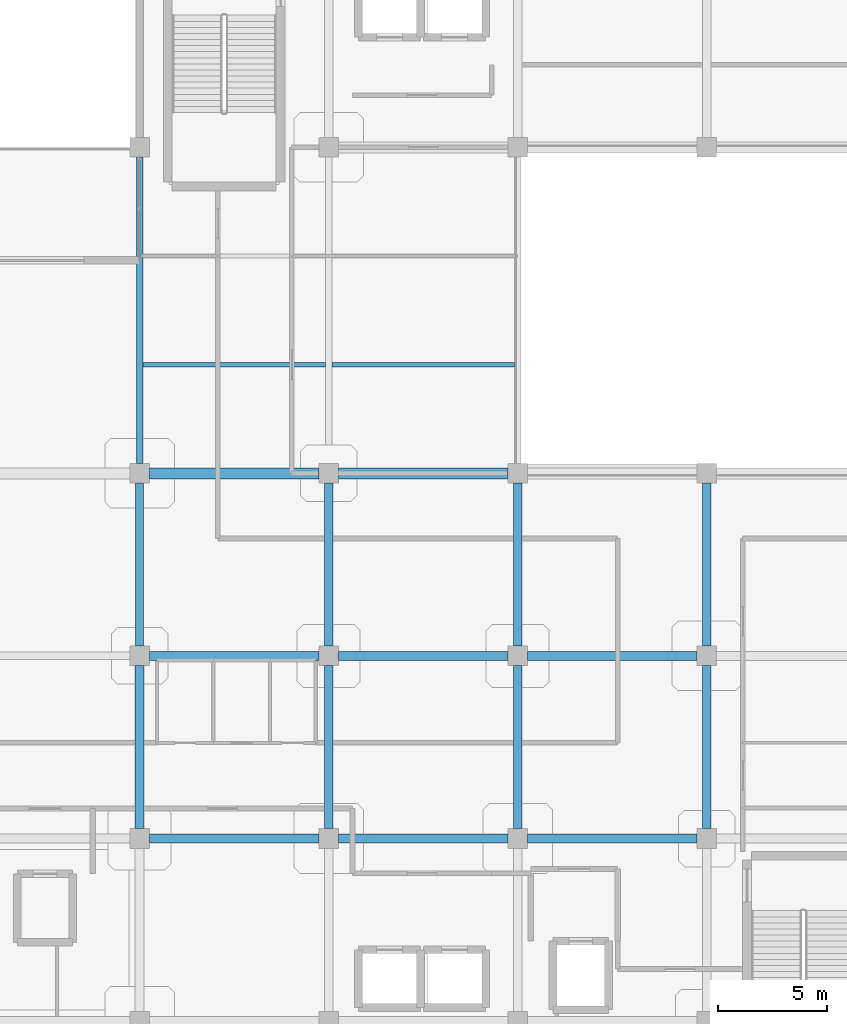
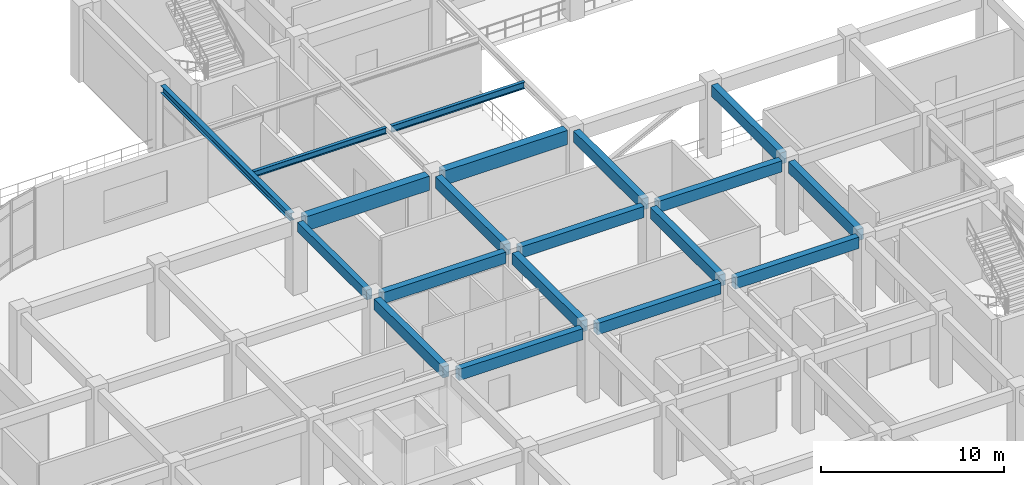
# One storey, part 22 of 120: 19 beams.
"""IFC4 building model written with IfcOpenShell, lengths in metres."""

from ifc_helpers import new_model, si_unit, derived_unit, direction, frame, origin, origin_2d, place, context, subcontext, project, spatial, rectangle, i_section, extrude, material, material_profile, profile_set, type_object, element, save


model = new_model("IFC4")

# Units and contexts
model_context = context("Model", 3, precision=1e-05, world=origin(), true_north=direction((0.0, 1.0)))
body_context = subcontext(model_context, "Body", "Model", "MODEL_VIEW")
ifc_project = project(units=[si_unit("LENGTHUNIT", "METRE"), si_unit("AREAUNIT", "SQUARE_METRE"), si_unit("VOLUMEUNIT", "CUBIC_METRE"), si_unit("PLANEANGLEUNIT", "RADIAN"), si_unit("MASSUNIT", "GRAM", prefix="KILO"), derived_unit("THERMALTRANSMITTANCEUNIT", [(si_unit("MASSUNIT", "GRAM", prefix="KILO"), 1), (si_unit("TIMEUNIT", "SECOND"), -3), (si_unit("THERMODYNAMICTEMPERATUREUNIT", "KELVIN"), -1)])], contexts=[model_context])

# Site, building, storey
site_placement = place(None, origin())
site = spatial("IfcSite", under=ifc_project, at=site_placement, CompositionType="ELEMENT")
building_placement = place(site_placement, origin())
building = spatial("IfcBuilding", under=site, at=building_placement, Name="Qinzheling Arcade Emporium", CompositionType="ELEMENT")
storey_placement = place(building_placement, frame((0.0, 0.0, 11.39990234375)))
storey = spatial("IfcBuildingStorey", under=building, at=storey_placement, Name="L03", CompositionType="ELEMENT", Elevation=11.39990234375)

# Beams
ifc_material_1 = material(Name="Structural steel Q355B", Category="steel")
ifc_material_profile_1 = material_profile(ifc_material_1, i_section(OverallWidth=0.300048828125, OverallDepth=0.488037109375, WebThickness=0.010986328125, FlangeThickness=0.01806640625, FilletRadius=0.02197265625, at=origin_2d()), Name="HM 488x300x11x18", Category="steel")
ifc_profile_set_1 = profile_set([ifc_material_profile_1], Name="Structural steel Q355B")
beam_type_1 = type_object("IfcBeamType", Name="Atrium Bridge Girder HM488 Q355B", PredefinedType="USERDEFINED", material=ifc_profile_set_1)
beam_1_placement = place(storey_placement, frame((34.800048828125, 50.85009765625, 4.576171875), z_axis=(0.0, 1.0, 0.0), x_axis=(-1.0, 0.0, 0.0)))
element("IfcBeam", 1, at=beam_1_placement, inside=storey, type_object=beam_type_1, Name="Beam BM-L03-Y-5-G", ObjectType="TRANSFER_GIRDER", PredefinedType="USERDEFINED", context=body_context, shape_type="SweptSolid", body=[
    extrude(i_section(OverallWidth=0.300048828125, OverallDepth=0.488037109375, WebThickness=0.010986328125, FlangeThickness=0.01806640625, FilletRadius=0.02197265625, at=origin_2d()), origin(), (0.0, 0.0, 1.0), 14.099853515625),
])
ifc_material_2 = material(Name="Concrete C40", Category="concrete")
ifc_material_profile_2 = material_profile(ifc_material_2, rectangle(XDim=0.39990234375, YDim=0.75, at=origin_2d()), Name="RC 400x750", Category="concrete")
ifc_profile_set_2 = profile_set([ifc_material_profile_2], Name="Concrete C40")
beam_type_2 = type_object("IfcBeamType", Name="RC Interior Tie Beam 400x750 C40", PredefinedType="BEAM", material=ifc_profile_set_2)
for number, where, z_axis, x_axis, name in (
    (2, (35.25, 33.60009765625, 4.445068359375), (1.0, 0.0, 0.0), (0.0, 1.0, 0.0), "Beam BM-L03-X-E-5"),
    (3, (43.949951171875, 33.60009765625, 4.445068359375), (1.0, 0.0, 0.0), (0.0, 1.0, 0.0), "Beam BM-L03-X-E-6"),
    (4, (52.64990234375, 33.60009765625, 4.445068359375), (1.0, 0.0, 0.0), (0.0, 1.0, 0.0), "Beam BM-L03-X-E-7"),
    (5, (35.25, 42.0, 4.445068359375), (1.0, 0.0, 0.0), (0.0, 1.0, 0.0), "Beam BM-L03-X-F-5"),
    (6, (43.949951171875, 42.0, 4.445068359375), (1.0, 0.0, 0.0), (0.0, 1.0, 0.0), "Beam BM-L03-X-F-6"),
    (7, (52.64990234375, 42.0, 4.445068359375), (1.0, 0.0, 0.0), (0.0, 1.0, 0.0), "Beam BM-L03-X-F-7"),
):
    element("IfcBeam", number, at=place(storey_placement, frame(where, z_axis=z_axis, x_axis=x_axis)), inside=storey, type_object=beam_type_2, Name=name, PredefinedType="BEAM", context=body_context, shape_type="SweptSolid", body=[
        extrude(rectangle(XDim=0.39990234375, YDim=0.75, at=origin_2d()), origin(), (0.0, 0.0, 1.0), 7.800048828125),
    ])
for number, where, z_axis, x_axis, name in (
    (8, (34.800048828125, 34.050048828125, 4.445068359375), (0.0, 1.0, 0.0), (-1.0, 0.0, 0.0), "Beam BM-L03-Y-5-E"),
    (9, (43.5, 34.050048828125, 4.445068359375), (0.0, 1.0, 0.0), (-1.0, 0.0, 0.0), "Beam BM-L03-Y-6-E"),
    (10, (43.5, 42.449951171875, 4.445068359375), (0.0, 1.0, 0.0), (-1.0, 0.0, 0.0), "Beam BM-L03-Y-6-F"),
    (11, (52.199951171875, 34.050048828125, 4.445068359375), (0.0, 1.0, 0.0), (-1.0, 0.0, 0.0), "Beam BM-L03-Y-7-E"),
    (12, (52.199951171875, 42.449951171875, 4.445068359375), (0.0, 1.0, 0.0), (-1.0, 0.0, 0.0), "Beam BM-L03-Y-7-F"),
    (13, (60.89990234375, 34.050048828125, 4.445068359375), (0.0, 1.0, 0.0), (-1.0, 0.0, 0.0), "Beam BM-L03-Y-8-E"),
    (14, (60.89990234375, 42.449951171875, 4.445068359375), (0.0, 1.0, 0.0), (-1.0, 0.0, 0.0), "Beam BM-L03-Y-8-F"),
):
    element("IfcBeam", number, at=place(storey_placement, frame(where, z_axis=z_axis, x_axis=x_axis)), inside=storey, type_object=beam_type_2, Name=name, PredefinedType="BEAM", context=body_context, shape_type="SweptSolid", body=[
        extrude(rectangle(XDim=0.39990234375, YDim=0.75, at=origin_2d()), origin(), (0.0, 0.0, 1.0), 7.5),
    ])
ifc_material_profile_3 = material_profile(ifc_material_2, rectangle(XDim=0.35009765625, YDim=0.64990234375, at=origin_2d()), Name="RC 350x650", Category="concrete")
ifc_profile_set_3 = profile_set([ifc_material_profile_3], Name="Concrete C40")
beam_type_3 = type_object("IfcBeamType", Name="RC Spandrel Edge Beam 350x650 C40", PredefinedType="SPANDREL", material=ifc_profile_set_3)
beam_2_placement = place(storey_placement, frame((34.800048828125, 42.449951171875, 4.4951171875), z_axis=(0.0, 1.0, 0.0), x_axis=(-1.0, 0.0, 0.0)))
element("IfcBeam", 15, at=beam_2_placement, inside=storey, type_object=beam_type_3, Name="Beam BM-L03-Y-5-F", PredefinedType="SPANDREL", context=body_context, shape_type="SweptSolid", body=[
    extrude(rectangle(XDim=0.35009765625, YDim=0.64990234375, at=origin_2d()), origin(), (0.0, 0.0, 1.0), 7.5),
])
ifc_material_profile_4 = material_profile(ifc_material_2, rectangle(XDim=0.5, YDim=0.949951171875, at=origin_2d()), Name="RC 500x950", Category="concrete")
ifc_profile_set_4 = profile_set([ifc_material_profile_4], Name="Concrete C40")
beam_type_4 = type_object("IfcBeamType", Name="RC Vault Ring Beam 500x950 C40", PredefinedType="BEAM", material=ifc_profile_set_4)
for number, where, z_axis, x_axis, name in (
    (16, (35.25, 50.39990234375, 4.34521484375), (1.0, 0.0, 0.0), (0.0, 1.0, 0.0), "Beam BM-L03-X-G-5"),
    (17, (43.949951171875, 50.39990234375, 4.34521484375), (1.0, 0.0, 0.0), (0.0, 1.0, 0.0), "Beam BM-L03-X-G-6"),
):
    element("IfcBeam", number, at=place(storey_placement, frame(where, z_axis=z_axis, x_axis=x_axis)), inside=storey, type_object=beam_type_4, Name=name, PredefinedType="BEAM", context=body_context, shape_type="SweptSolid", body=[
        extrude(rectangle(XDim=0.5, YDim=0.949951171875, at=origin_2d()), origin(), (0.0, 0.0, 1.0), 7.800048828125),
    ])
ifc_material_profile_5 = material_profile(ifc_material_1, i_section(OverallWidth=0.199951171875, OverallDepth=0.449951171875, WebThickness=0.009033203125, FlangeThickness=0.013916015625, FilletRadius=0.01611328125, at=origin_2d()), Name="HN 450x200x9x14", Category="steel")
ifc_profile_set_5 = profile_set([ifc_material_profile_5], Name="Structural steel Q355B")
beam_type_5 = type_object("IfcBeamType", Name="Secondary Floor Joist HN450 Q355B", PredefinedType="JOIST", material=ifc_profile_set_5)
beam_3_placement = place(storey_placement, frame((43.655029296875, 55.39990234375, 4.59521484375), z_axis=(1.0, 0.0, 0.0), x_axis=(0.0, 1.0, 0.0)))
element("IfcBeam", 18, at=beam_3_placement, inside=storey, type_object=beam_type_5, Name="Secondary Joist JST-L03-6-1", PredefinedType="JOIST", context=body_context, shape_type="SweptSolid", body=[
    extrude(i_section(OverallWidth=0.199951171875, OverallDepth=0.449951171875, WebThickness=0.009033203125, FlangeThickness=0.013916015625, FilletRadius=0.01611328125, at=origin_2d()), origin(), (0.0, 0.0, 1.0), 8.389892578125),
])
ifc_material_profile_6 = material_profile(ifc_material_1, i_section(OverallWidth=0.199951171875, OverallDepth=0.39990234375, WebThickness=0.008056640625, FlangeThickness=0.012939453125, FilletRadius=0.01611328125, at=origin_2d()), Name="HN 400x200x8x13", Category="steel")
ifc_profile_set_6 = profile_set([ifc_material_profile_6], Name="Structural steel Q355B")
beam_type_6 = type_object("IfcBeamType", Name="Storm Eave Outlooker Joist HN400 Q355B", PredefinedType="JOIST", material=ifc_profile_set_6)
beam_4_placement = place(storey_placement, frame((34.955078125, 55.39990234375, 4.6201171875), z_axis=(1.0, 0.0, 0.0), x_axis=(0.0, 1.0, 0.0)))
element("IfcBeam", 19, at=beam_4_placement, inside=storey, type_object=beam_type_6, Name="Secondary Joist JST-L03-5-1", PredefinedType="JOIST", context=body_context, shape_type="SweptSolid", body=[
    extrude(i_section(OverallWidth=0.199951171875, OverallDepth=0.39990234375, WebThickness=0.008056640625, FlangeThickness=0.012939453125, FilletRadius=0.01611328125, at=origin_2d()), origin(), (0.0, 0.0, 1.0), 8.389892578125),
])

save(model, "model.ifc")
